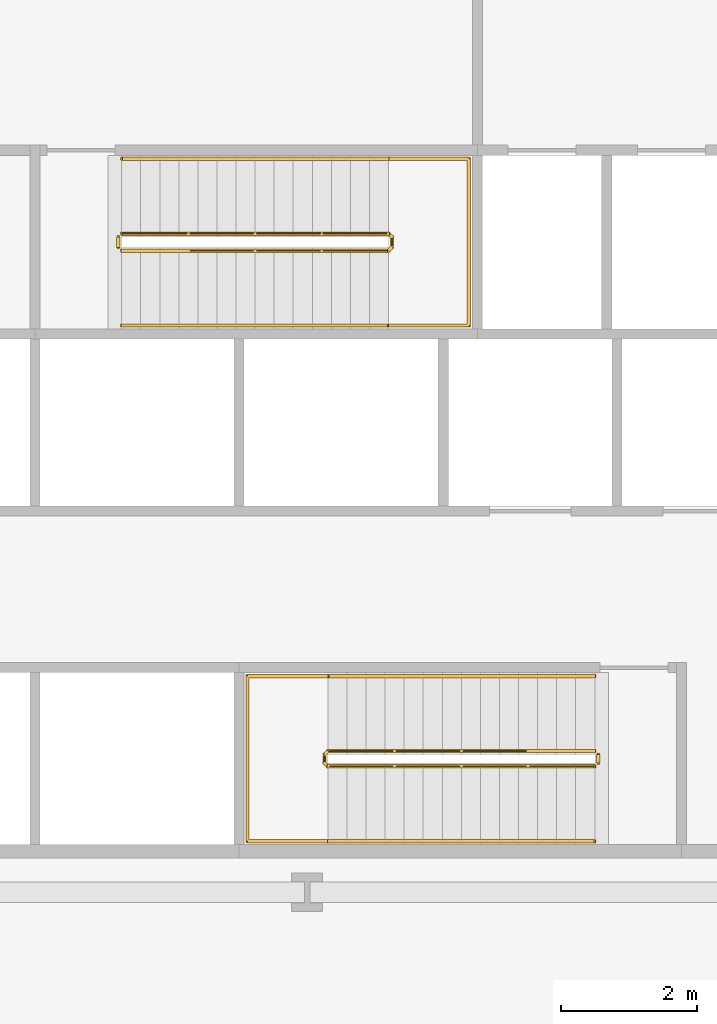
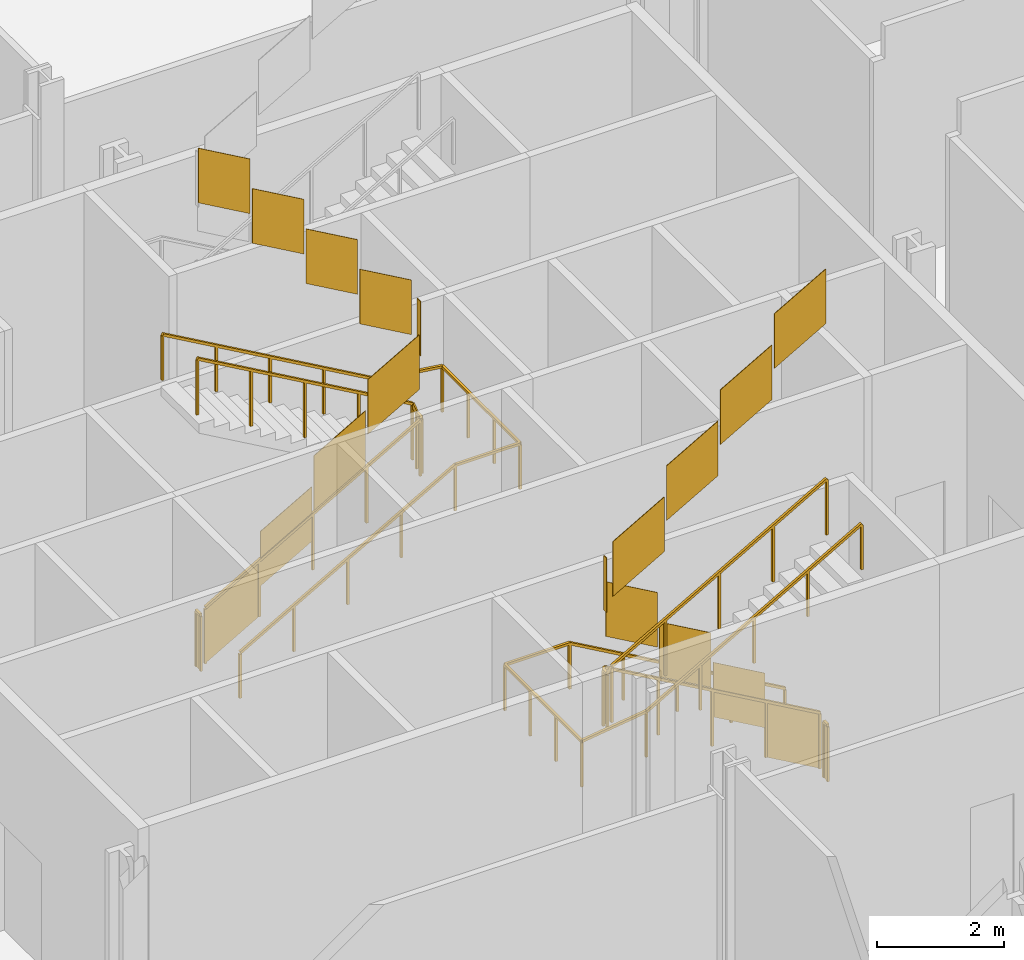
# One storey, part 22 of 26: 6 railings.
"""IFC4 building model written with IfcOpenShell, lengths in metres."""

from ifc_helpers import new_model, si_unit, direction, frame, origin, origin_2d, place, context, subcontext, project, spatial, polyline, rectangle, outline, extrude, material, type_object, element, save


model = new_model("IFC4")

# Units and contexts
model_context = context("Model", 3, precision=1e-05, world=origin(), true_north=direction((0.0, 1.0)))
body_context = subcontext(model_context, "Body", "Model", "MODEL_VIEW")
ifc_project = project(units=[si_unit("LENGTHUNIT", "METRE"), si_unit("AREAUNIT", "SQUARE_METRE"), si_unit("VOLUMEUNIT", "CUBIC_METRE"), si_unit("PLANEANGLEUNIT", "RADIAN"), si_unit("MASSUNIT", "GRAM", prefix="KILO")], contexts=[model_context])

# Site, building, storey
site_placement = place(None, origin())
site = spatial("IfcSite", under=ifc_project, at=site_placement, CompositionType="ELEMENT")
building_placement = place(site_placement, origin())
building = spatial("IfcBuilding", under=site, at=building_placement, Name="Cairn Pilgrim Tower", CompositionType="ELEMENT")
storey_placement = place(building_placement, frame((0.0, 0.0, 25.800048828125)))
storey = spatial("IfcBuildingStorey", under=building, at=storey_placement, Name="L04", CompositionType="ELEMENT", Elevation=25.800048828125)

# Railings
ifc_material = material(Name="Painted steel", Category="steel")
railing_type_1 = type_object("IfcRailingType", Name="STAIR GUARD 1100", PredefinedType="GUARDRAIL", material=ifc_material)
railing_1_placement = place(storey_placement, frame((11.425048828125, -3.925048828125, 0.159912109375)))
element("IfcRailing", 1, at=railing_1_placement, inside=storey, type_object=railing_type_1, Name="L04 ST-A stair guard 1", PredefinedType="GUARDRAIL", context=body_context, shape_type="SweptSolid", body=[
    extrude(rectangle(XDim=0.048095703125, YDim=0.048095703125, at=origin_2d()), frame((0.0, 0.0, 1.076171875), z_axis=(-0.86825312469, 0.0, 0.496121468458), x_axis=(0.0, -1.0, 0.0)), (0.0, 0.0, 1.0), 4.514892578125),
    extrude(rectangle(XDim=0.048095703125, YDim=0.048095703125, at=origin_2d()), frame((-3.920166015625, 0.0, 3.31591796875), z_axis=(-0.705375805398, -0.708833529934, 0.0), x_axis=(0.708833529934, -0.705375805398, 0.0)), (0.0, 0.0, 1.0), 0.070556640625),
    extrude(rectangle(XDim=0.048095703125, YDim=0.048095703125, at=origin_2d()), frame((-3.969970703125, -0.050048828125, 3.31591796875), z_axis=(0.0, -1.0, 0.0), x_axis=(1.0, 0.0, 0.0)), (0.0, 0.0, 1.0), 0.125),
    extrude(rectangle(XDim=0.048095703125, YDim=0.048095703125, at=origin_2d()), frame((-3.969970703125, -0.175048828125, 3.31591796875), z_axis=(0.284663109963, -0.284663109963, 0.915387255566), x_axis=(0.707106781187, 0.707106781187, 0.0)), (0.0, 0.0, 1.0), 0.175048828125),
    extrude(rectangle(XDim=0.048095703125, YDim=0.048095703125, at=origin_2d()), frame((-3.920166015625, -0.224853515625, 3.47607421875), z_axis=(0.86825312469, 0.0, 0.496121468458), x_axis=(0.0, 1.0, 0.0)), (0.0, 0.0, 1.0), 4.514892578125),
    extrude(rectangle(XDim=0.0419921875, YDim=0.0419921875, at=origin_2d()), origin(), (0.0, 0.0, 1.0), 1.052001953125),
    extrude(rectangle(XDim=0.0419921875, YDim=0.0419921875, at=origin_2d()), frame((-0.97998046875, 0.0, 0.56005859375)), (0.0, 0.0, 1.0), 1.052001953125),
    extrude(rectangle(XDim=0.0419921875, YDim=0.0419921875, at=origin_2d()), frame((-1.9599609375, 0.0, 1.1201171875)), (0.0, 0.0, 1.0), 1.052001953125),
    extrude(rectangle(XDim=0.0419921875, YDim=0.0419921875, at=origin_2d()), frame((-2.940185546875, 0.0, 1.679931640625)), (0.0, 0.0, 1.0), 1.052001953125),
    extrude(rectangle(XDim=0.0419921875, YDim=0.0419921875, at=origin_2d()), frame((-3.920166015625, 0.0, 2.239990234375)), (0.0, 0.0, 1.0), 1.052001953125),
    extrude(rectangle(XDim=0.0419921875, YDim=0.0419921875, at=origin_2d()), frame((-3.969970703125, -0.050048828125, 2.239990234375)), (0.0, 0.0, 1.0), 1.052001953125),
    extrude(rectangle(XDim=0.0419921875, YDim=0.0419921875, at=origin_2d()), frame((-3.969970703125, -0.175048828125, 2.239990234375)), (0.0, 0.0, 1.0), 1.052001953125),
    extrude(rectangle(XDim=0.0419921875, YDim=0.0419921875, at=origin_2d()), frame((-3.920166015625, -0.224853515625, 2.400146484375)), (0.0, 0.0, 1.0), 1.052001953125),
    extrude(rectangle(XDim=0.0419921875, YDim=0.0419921875, at=origin_2d()), frame((-2.940185546875, -0.224853515625, 2.960205078125)), (0.0, 0.0, 1.0), 1.052001953125),
    extrude(rectangle(XDim=0.0419921875, YDim=0.0419921875, at=origin_2d()), frame((-1.9599609375, -0.224853515625, 3.52001953125)), (0.0, 0.0, 1.0), 1.052001953125),
    extrude(rectangle(XDim=0.0419921875, YDim=0.0419921875, at=origin_2d()), frame((-0.97998046875, -0.224853515625, 4.080078125)), (0.0, 0.0, 1.0), 1.052001953125),
    extrude(rectangle(XDim=0.0419921875, YDim=0.0419921875, at=origin_2d()), frame((0.0, -0.224853515625, 4.64013671875)), (0.0, 0.0, 1.0), 1.052001953125),
    extrude(outline(polyline([(0.02099609375, 0.011962890625), (0.958984375, 0.548095703125), (0.958984375, 1.60009765625), (0.02099609375, 1.06396484375), (0.02099609375, 0.011962890625)])), frame((0.0, -0.005859375, 0.0), z_axis=(0.0, 1.0, 0.0), x_axis=(-1.0, 0.0, 0.0)), (0.0, 0.0, 1.0), 0.011962890625),
    extrude(outline(polyline([(0.02099609375, 0.572021484375), (0.958984375, 1.10791015625), (0.958984375, 2.159912109375), (0.02099609375, 1.6240234375), (0.02099609375, 0.572021484375)])), frame((-0.97998046875, -0.005859375, 0.56005859375), z_axis=(0.0, 1.0, 0.0), x_axis=(-1.0, 0.0, 0.0)), (0.0, 0.0, 1.0), 0.011962890625),
    extrude(outline(polyline([(0.02099609375, 1.132080078125), (0.958984375, 1.66796875), (0.958984375, 2.719970703125), (0.02099609375, 2.18408203125), (0.02099609375, 1.132080078125)])), frame((-1.9599609375, -0.005859375, 1.1201171875), z_axis=(0.0, 1.0, 0.0), x_axis=(-1.0, 0.0, 0.0)), (0.0, 0.0, 1.0), 0.011962890625),
    extrude(outline(polyline([(0.02099609375, 1.69189453125), (0.958984375, 2.22802734375), (0.958984375, 3.280029296875), (0.02099609375, 2.743896484375), (0.02099609375, 1.69189453125)])), frame((-2.940185546875, -0.005859375, 1.679931640625), z_axis=(0.0, 1.0, 0.0), x_axis=(-1.0, 0.0, 0.0)), (0.0, 0.0, 1.0), 0.011962890625),
    extrude(outline(polyline([(0.02099609375, 2.239990234375), (0.10400390625, 2.239990234375), (0.10400390625, 3.2919921875), (0.02099609375, 3.2919921875), (0.02099609375, 2.239990234375)])), frame((-3.9638671875, -0.050048828125, 2.239990234375), z_axis=(-1.0, 0.0, 0.0), x_axis=(0.0, -1.0, 0.0)), (0.0, 0.0, 1.0), 0.011962890625),
    extrude(outline(polyline([(0.02099609375, 2.412109375), (0.958984375, 2.9482421875), (0.958984375, 4.000244140625), (0.02099609375, 3.464111328125), (0.02099609375, 2.412109375)])), frame((-3.920166015625, -0.21875, 2.400146484375), z_axis=(0.0, -1.0, 0.0), x_axis=(1.0, 0.0, 0.0)), (0.0, 0.0, 1.0), 0.011962890625),
    extrude(outline(polyline([(0.02099609375, 2.97216796875), (0.958984375, 3.508056640625), (0.958984375, 4.56005859375), (0.02099609375, 4.024169921875), (0.02099609375, 2.97216796875)])), frame((-2.940185546875, -0.21875, 2.960205078125), z_axis=(0.0, -1.0, 0.0), x_axis=(1.0, 0.0, 0.0)), (0.0, 0.0, 1.0), 0.011962890625),
    extrude(outline(polyline([(0.02099609375, 3.5322265625), (0.958984375, 4.068115234375), (0.958984375, 5.1201171875), (0.02099609375, 4.584228515625), (0.02099609375, 3.5322265625)])), frame((-1.9599609375, -0.21875, 3.52001953125), z_axis=(0.0, -1.0, 0.0), x_axis=(1.0, 0.0, 0.0)), (0.0, 0.0, 1.0), 0.011962890625),
    extrude(outline(polyline([(0.02099609375, 4.092041015625), (0.958984375, 4.628173828125), (0.958984375, 5.68017578125), (0.02099609375, 5.14404296875), (0.02099609375, 4.092041015625)])), frame((-0.97998046875, -0.21875, 4.080078125), z_axis=(0.0, -1.0, 0.0), x_axis=(1.0, 0.0, 0.0)), (0.0, 0.0, 1.0), 0.011962890625),
])
railing_2_placement = place(storey_placement, frame((11.47509765625, -3.97509765625, 0.0)))
element("IfcRailing", 2, at=railing_2_placement, inside=storey, type_object=railing_type_1, Name="L04 ST-A stair guard 2", PredefinedType="GUARDRAIL", context=body_context, shape_type="SweptSolid", body=[
    extrude(rectangle(XDim=0.048095703125, YDim=0.048095703125, at=origin_2d()), frame((0.0, 0.0, 1.076171875), z_axis=(0.0, -1.0, 0.0), x_axis=(1.0, 0.0, 0.0)), (0.0, 0.0, 1.0), 0.125),
    extrude(rectangle(XDim=0.0419921875, YDim=0.0419921875, at=origin_2d()), origin(), (0.0, 0.0, 1.0), 1.052001953125),
    extrude(rectangle(XDim=0.0419921875, YDim=0.0419921875, at=origin_2d()), frame((0.0, -0.125, 0.0)), (0.0, 0.0, 1.0), 1.052001953125),
    extrude(outline(polyline([(0.02099609375, 0.0), (0.10400390625, 0.0), (0.10400390625, 1.052001953125), (0.02099609375, 1.052001953125), (0.02099609375, 0.0)])), frame((0.005859375, 0.0, 0.0), z_axis=(-1.0, 0.0, 0.0), x_axis=(0.0, -1.0, 0.0)), (0.0, 0.0, 1.0), 0.011962890625),
])
railing_3_placement = place(storey_placement, frame((4.47509765625, 3.425048828125, 0.159912109375)))
element("IfcRailing", 3, at=railing_3_placement, inside=storey, type_object=railing_type_1, Name="L04 ST-B stair guard 1", PredefinedType="GUARDRAIL", context=body_context, shape_type="SweptSolid", body=[
    extrude(rectangle(XDim=0.048095703125, YDim=0.048095703125, at=origin_2d()), frame((0.0, 0.0, 1.076171875), z_axis=(0.868239814368, 0.0, 0.496144761885), x_axis=(0.0, 1.0, 0.0)), (0.0, 0.0, 1.0), 4.514892578125),
    extrude(rectangle(XDim=0.048095703125, YDim=0.048095703125, at=origin_2d()), frame((3.919921875, 0.0, 3.31591796875), z_axis=(0.707106781187, 0.707106781187, 0.0), x_axis=(-0.707106781187, 0.707106781187, 0.0)), (0.0, 0.0, 1.0), 0.07080078125),
    extrude(rectangle(XDim=0.048095703125, YDim=0.048095703125, at=origin_2d()), frame((3.969970703125, 0.050048828125, 3.31591796875), z_axis=(0.0, 1.0, 0.0), x_axis=(-1.0, 0.0, 0.0)), (0.0, 0.0, 1.0), 0.14990234375),
    extrude(rectangle(XDim=0.048095703125, YDim=0.048095703125, at=origin_2d()), frame((3.969970703125, 0.199951171875, 3.31591796875), z_axis=(-0.285830975238, 0.285830975238, 0.91465912076), x_axis=(-0.707106781187, -0.707106781187, 0.0)), (0.0, 0.0, 1.0), 0.175048828125),
    extrude(rectangle(XDim=0.048095703125, YDim=0.048095703125, at=origin_2d()), frame((3.919921875, 0.25, 3.47607421875), z_axis=(-0.868239814368, 0.0, 0.496144761885), x_axis=(0.0, -1.0, 0.0)), (0.0, 0.0, 1.0), 4.514892578125),
    extrude(rectangle(XDim=0.0419921875, YDim=0.0419921875, at=origin_2d()), origin(), (0.0, 0.0, 1.0), 1.052001953125),
    extrude(rectangle(XDim=0.0419921875, YDim=0.0419921875, at=origin_2d()), frame((0.97998046875, 0.0, 0.56005859375)), (0.0, 0.0, 1.0), 1.052001953125),
    extrude(rectangle(XDim=0.0419921875, YDim=0.0419921875, at=origin_2d()), frame((1.9599609375, 0.0, 1.1201171875)), (0.0, 0.0, 1.0), 1.052001953125),
    extrude(rectangle(XDim=0.0419921875, YDim=0.0419921875, at=origin_2d()), frame((2.93994140625, 0.0, 1.679931640625)), (0.0, 0.0, 1.0), 1.052001953125),
    extrude(rectangle(XDim=0.0419921875, YDim=0.0419921875, at=origin_2d()), frame((3.919921875, 0.0, 2.239990234375)), (0.0, 0.0, 1.0), 1.052001953125),
    extrude(rectangle(XDim=0.0419921875, YDim=0.0419921875, at=origin_2d()), frame((3.969970703125, 0.050048828125, 2.239990234375)), (0.0, 0.0, 1.0), 1.052001953125),
    extrude(rectangle(XDim=0.0419921875, YDim=0.0419921875, at=origin_2d()), frame((3.969970703125, 0.199951171875, 2.239990234375)), (0.0, 0.0, 1.0), 1.052001953125),
    extrude(rectangle(XDim=0.0419921875, YDim=0.0419921875, at=origin_2d()), frame((3.919921875, 0.25, 2.400146484375)), (0.0, 0.0, 1.0), 1.052001953125),
    extrude(rectangle(XDim=0.0419921875, YDim=0.0419921875, at=origin_2d()), frame((2.93994140625, 0.25, 2.960205078125)), (0.0, 0.0, 1.0), 1.052001953125),
    extrude(rectangle(XDim=0.0419921875, YDim=0.0419921875, at=origin_2d()), frame((1.9599609375, 0.25, 3.52001953125)), (0.0, 0.0, 1.0), 1.052001953125),
    extrude(rectangle(XDim=0.0419921875, YDim=0.0419921875, at=origin_2d()), frame((0.97998046875, 0.25, 4.080078125)), (0.0, 0.0, 1.0), 1.052001953125),
    extrude(rectangle(XDim=0.0419921875, YDim=0.0419921875, at=origin_2d()), frame((0.0, 0.25, 4.64013671875)), (0.0, 0.0, 1.0), 1.052001953125),
    extrude(outline(polyline([(0.02099609375, 0.011962890625), (0.958984375, 0.548095703125), (0.958984375, 1.60009765625), (0.02099609375, 1.06396484375), (0.02099609375, 0.011962890625)])), frame((0.0, 0.005859375, 0.0), z_axis=(0.0, -1.0, 0.0), x_axis=(1.0, 0.0, 0.0)), (0.0, 0.0, 1.0), 0.011962890625),
    extrude(outline(polyline([(0.02099609375, 0.572021484375), (0.958984375, 1.10791015625), (0.958984375, 2.159912109375), (0.02099609375, 1.6240234375), (0.02099609375, 0.572021484375)])), frame((0.97998046875, 0.005859375, 0.56005859375), z_axis=(0.0, -1.0, 0.0), x_axis=(1.0, 0.0, 0.0)), (0.0, 0.0, 1.0), 0.011962890625),
    extrude(outline(polyline([(0.02099609375, 1.132080078125), (0.958984375, 1.66796875), (0.958984375, 2.719970703125), (0.02099609375, 2.18408203125), (0.02099609375, 1.132080078125)])), frame((1.9599609375, 0.005859375, 1.1201171875), z_axis=(0.0, -1.0, 0.0), x_axis=(1.0, 0.0, 0.0)), (0.0, 0.0, 1.0), 0.011962890625),
    extrude(outline(polyline([(0.02099609375, 1.69189453125), (0.958984375, 2.22802734375), (0.958984375, 3.280029296875), (0.02099609375, 2.743896484375), (0.02099609375, 1.69189453125)])), frame((2.93994140625, 0.005859375, 1.679931640625), z_axis=(0.0, -1.0, 0.0), x_axis=(1.0, 0.0, 0.0)), (0.0, 0.0, 1.0), 0.011962890625),
    extrude(outline(polyline([(0.02099609375, 2.239990234375), (0.12890625, 2.239990234375), (0.12890625, 3.2919921875), (0.02099609375, 3.2919921875), (0.02099609375, 2.239990234375)])), frame((3.9638671875, 0.050048828125, 2.239990234375), z_axis=(1.0, 0.0, 0.0), x_axis=(0.0, 1.0, 0.0)), (0.0, 0.0, 1.0), 0.011962890625),
    extrude(outline(polyline([(0.02099609375, 2.412109375), (0.958984375, 2.9482421875), (0.958984375, 4.000244140625), (0.02099609375, 3.464111328125), (0.02099609375, 2.412109375)])), frame((3.919921875, 0.244140625, 2.400146484375), z_axis=(0.0, 1.0, 0.0), x_axis=(-1.0, 0.0, 0.0)), (0.0, 0.0, 1.0), 0.011962890625),
    extrude(outline(polyline([(0.02099609375, 2.97216796875), (0.958984375, 3.508056640625), (0.958984375, 4.56005859375), (0.02099609375, 4.024169921875), (0.02099609375, 2.97216796875)])), frame((2.93994140625, 0.244140625, 2.960205078125), z_axis=(0.0, 1.0, 0.0), x_axis=(-1.0, 0.0, 0.0)), (0.0, 0.0, 1.0), 0.011962890625),
    extrude(outline(polyline([(0.02099609375, 3.5322265625), (0.958984375, 4.068115234375), (0.958984375, 5.1201171875), (0.02099609375, 4.584228515625), (0.02099609375, 3.5322265625)])), frame((1.9599609375, 0.244140625, 3.52001953125), z_axis=(0.0, 1.0, 0.0), x_axis=(-1.0, 0.0, 0.0)), (0.0, 0.0, 1.0), 0.011962890625),
    extrude(outline(polyline([(0.02099609375, 4.092041015625), (0.958984375, 4.628173828125), (0.958984375, 5.68017578125), (0.02099609375, 5.14404296875), (0.02099609375, 4.092041015625)])), frame((0.97998046875, 0.244140625, 4.080078125), z_axis=(0.0, 1.0, 0.0), x_axis=(-1.0, 0.0, 0.0)), (0.0, 0.0, 1.0), 0.011962890625),
])
railing_4_placement = place(storey_placement, frame((4.425048828125, 3.47509765625, 0.0)))
element("IfcRailing", 4, at=railing_4_placement, inside=storey, type_object=railing_type_1, Name="L04 ST-B stair guard 2", PredefinedType="GUARDRAIL", context=body_context, shape_type="SweptSolid", body=[
    extrude(rectangle(XDim=0.048095703125, YDim=0.048095703125, at=origin_2d()), frame((0.0, 0.0, 1.076171875), z_axis=(0.0, 1.0, 0.0), x_axis=(-1.0, 0.0, 0.0)), (0.0, 0.0, 1.0), 0.14990234375),
    extrude(rectangle(XDim=0.0419921875, YDim=0.0419921875, at=origin_2d()), origin(), (0.0, 0.0, 1.0), 1.052001953125),
    extrude(rectangle(XDim=0.0419921875, YDim=0.0419921875, at=origin_2d()), frame((0.0, 0.14990234375, 0.0)), (0.0, 0.0, 1.0), 1.052001953125),
    extrude(outline(polyline([(0.02099609375, 0.0), (0.12890625, 0.0), (0.12890625, 1.052001953125), (0.02099609375, 1.052001953125), (0.02099609375, 0.0)])), frame((-0.005859375, 0.0, 0.0), z_axis=(1.0, 0.0, 0.0), x_axis=(0.0, 1.0, 0.0)), (0.0, 0.0, 1.0), 0.011962890625),
])
railing_type_2 = type_object("IfcRailingType", Name="STAIR HANDRAIL 900", PredefinedType="HANDRAIL", material=ifc_material)
railing_5_placement = place(storey_placement, frame((11.425048828125, -2.824951171875, 0.159912109375)))
element("IfcRailing", 5, at=railing_5_placement, inside=storey, type_object=railing_type_2, Name="L04 ST-A stair handrail 1", PredefinedType="HANDRAIL", context=body_context, shape_type="SweptSolid", body=[
    extrude(rectangle(XDim=0.048095703125, YDim=0.048095703125, at=origin_2d()), frame((0.0, 0.0, 0.8759765625), z_axis=(-0.86825312469, 0.0, 0.496121468458), x_axis=(0.0, -1.0, 0.0)), (0.0, 0.0, 1.0), 4.514892578125),
    extrude(rectangle(XDim=0.048095703125, YDim=0.048095703125, at=origin_2d()), frame((-3.920166015625, 0.0, 3.11572265625), z_axis=(-1.0, 0.0, 0.0), x_axis=(0.0, -1.0, 0.0)), (0.0, 0.0, 1.0), 1.179931640625),
    extrude(rectangle(XDim=0.048095703125, YDim=0.048095703125, at=origin_2d()), frame((-5.10009765625, 0.0, 3.11572265625), z_axis=(0.0, -1.0, 0.0), x_axis=(1.0, 0.0, 0.0)), (0.0, 0.0, 1.0), 2.425048828125),
    extrude(rectangle(XDim=0.048095703125, YDim=0.048095703125, at=origin_2d()), frame((-5.10009765625, -2.425048828125, 3.11572265625), z_axis=(0.990913571068, 0.0, 0.134500166071), x_axis=(0.0, 1.0, 0.0)), (0.0, 0.0, 1.0), 1.190673828125),
    extrude(rectangle(XDim=0.048095703125, YDim=0.048095703125, at=origin_2d()), frame((-3.920166015625, -2.425048828125, 3.27587890625), z_axis=(0.86825312469, 0.0, 0.496121468458), x_axis=(0.0, 1.0, 0.0)), (0.0, 0.0, 1.0), 4.514892578125),
    extrude(rectangle(XDim=0.0419921875, YDim=0.0419921875, at=origin_2d()), origin(), (0.0, 0.0, 1.0), 0.851806640625),
    extrude(rectangle(XDim=0.0419921875, YDim=0.0419921875, at=origin_2d()), frame((-0.97998046875, 0.0, 0.56005859375)), (0.0, 0.0, 1.0), 0.851806640625),
    extrude(rectangle(XDim=0.0419921875, YDim=0.0419921875, at=origin_2d()), frame((-1.9599609375, 0.0, 1.1201171875)), (0.0, 0.0, 1.0), 0.851806640625),
    extrude(rectangle(XDim=0.0419921875, YDim=0.0419921875, at=origin_2d()), frame((-2.940185546875, 0.0, 1.679931640625)), (0.0, 0.0, 1.0), 0.851806640625),
    extrude(rectangle(XDim=0.0419921875, YDim=0.0419921875, at=origin_2d()), frame((-3.920166015625, 0.0, 2.239990234375)), (0.0, 0.0, 1.0), 0.851806640625),
    extrude(rectangle(XDim=0.0419921875, YDim=0.0419921875, at=origin_2d()), frame((-5.10009765625, 0.0, 2.239990234375)), (0.0, 0.0, 1.0), 0.851806640625),
    extrude(rectangle(XDim=0.0419921875, YDim=0.0419921875, at=origin_2d()), frame((-5.10009765625, -0.808349609375, 2.239990234375)), (0.0, 0.0, 1.0), 0.851806640625),
    extrude(rectangle(XDim=0.0419921875, YDim=0.0419921875, at=origin_2d()), frame((-5.10009765625, -1.61669921875, 2.239990234375)), (0.0, 0.0, 1.0), 0.851806640625),
    extrude(rectangle(XDim=0.0419921875, YDim=0.0419921875, at=origin_2d()), frame((-5.10009765625, -2.425048828125, 2.239990234375)), (0.0, 0.0, 1.0), 0.851806640625),
    extrude(rectangle(XDim=0.0419921875, YDim=0.0419921875, at=origin_2d()), frame((-3.920166015625, -2.425048828125, 2.400146484375)), (0.0, 0.0, 1.0), 0.851806640625),
    extrude(rectangle(XDim=0.0419921875, YDim=0.0419921875, at=origin_2d()), frame((-2.940185546875, -2.425048828125, 2.960205078125)), (0.0, 0.0, 1.0), 0.851806640625),
    extrude(rectangle(XDim=0.0419921875, YDim=0.0419921875, at=origin_2d()), frame((-1.9599609375, -2.425048828125, 3.52001953125)), (0.0, 0.0, 1.0), 0.851806640625),
    extrude(rectangle(XDim=0.0419921875, YDim=0.0419921875, at=origin_2d()), frame((-0.97998046875, -2.425048828125, 4.080078125)), (0.0, 0.0, 1.0), 0.851806640625),
    extrude(rectangle(XDim=0.0419921875, YDim=0.0419921875, at=origin_2d()), frame((0.0, -2.425048828125, 4.64013671875)), (0.0, 0.0, 1.0), 0.851806640625),
])
railing_6_placement = place(storey_placement, frame((4.47509765625, 2.324951171875, 0.159912109375)))
element("IfcRailing", 6, at=railing_6_placement, inside=storey, type_object=railing_type_2, Name="L04 ST-B stair handrail 1", PredefinedType="HANDRAIL", context=body_context, shape_type="SweptSolid", body=[
    extrude(rectangle(XDim=0.048095703125, YDim=0.048095703125, at=origin_2d()), frame((0.0, 0.0, 0.8759765625), z_axis=(0.868239814368, 0.0, 0.496144761885), x_axis=(0.0, 1.0, 0.0)), (0.0, 0.0, 1.0), 4.514892578125),
    extrude(rectangle(XDim=0.048095703125, YDim=0.048095703125, at=origin_2d()), frame((3.919921875, 0.0, 3.11572265625), z_axis=(1.0, 0.0, 0.0), x_axis=(0.0, 1.0, 0.0)), (0.0, 0.0, 1.0), 1.179931640625),
    extrude(rectangle(XDim=0.048095703125, YDim=0.048095703125, at=origin_2d()), frame((5.099853515625, 0.0, 3.11572265625), z_axis=(0.0, 1.0, 0.0), x_axis=(-1.0, 0.0, 0.0)), (0.0, 0.0, 1.0), 2.449951171875),
    extrude(rectangle(XDim=0.048095703125, YDim=0.048095703125, at=origin_2d()), frame((5.099853515625, 2.449951171875, 3.11572265625), z_axis=(-0.990913571068, 0.0, 0.134500166071), x_axis=(0.0, -1.0, 0.0)), (0.0, 0.0, 1.0), 1.190673828125),
    extrude(rectangle(XDim=0.048095703125, YDim=0.048095703125, at=origin_2d()), frame((3.919921875, 2.449951171875, 3.27587890625), z_axis=(-0.868239814368, 0.0, 0.496144761885), x_axis=(0.0, -1.0, 0.0)), (0.0, 0.0, 1.0), 4.514892578125),
    extrude(rectangle(XDim=0.0419921875, YDim=0.0419921875, at=origin_2d()), origin(), (0.0, 0.0, 1.0), 0.851806640625),
    extrude(rectangle(XDim=0.0419921875, YDim=0.0419921875, at=origin_2d()), frame((0.97998046875, 0.0, 0.56005859375)), (0.0, 0.0, 1.0), 0.851806640625),
    extrude(rectangle(XDim=0.0419921875, YDim=0.0419921875, at=origin_2d()), frame((1.9599609375, 0.0, 1.1201171875)), (0.0, 0.0, 1.0), 0.851806640625),
    extrude(rectangle(XDim=0.0419921875, YDim=0.0419921875, at=origin_2d()), frame((2.93994140625, 0.0, 1.679931640625)), (0.0, 0.0, 1.0), 0.851806640625),
    extrude(rectangle(XDim=0.0419921875, YDim=0.0419921875, at=origin_2d()), frame((3.919921875, 0.0, 2.239990234375)), (0.0, 0.0, 1.0), 0.851806640625),
    extrude(rectangle(XDim=0.0419921875, YDim=0.0419921875, at=origin_2d()), frame((5.099853515625, 0.0, 2.239990234375)), (0.0, 0.0, 1.0), 0.851806640625),
    extrude(rectangle(XDim=0.0419921875, YDim=0.0419921875, at=origin_2d()), frame((5.099853515625, 0.816650390625, 2.239990234375)), (0.0, 0.0, 1.0), 0.851806640625),
    extrude(rectangle(XDim=0.0419921875, YDim=0.0419921875, at=origin_2d()), frame((5.099853515625, 1.63330078125, 2.239990234375)), (0.0, 0.0, 1.0), 0.851806640625),
    extrude(rectangle(XDim=0.0419921875, YDim=0.0419921875, at=origin_2d()), frame((5.099853515625, 2.449951171875, 2.239990234375)), (0.0, 0.0, 1.0), 0.851806640625),
    extrude(rectangle(XDim=0.0419921875, YDim=0.0419921875, at=origin_2d()), frame((3.919921875, 2.449951171875, 2.400146484375)), (0.0, 0.0, 1.0), 0.851806640625),
    extrude(rectangle(XDim=0.0419921875, YDim=0.0419921875, at=origin_2d()), frame((2.93994140625, 2.449951171875, 2.960205078125)), (0.0, 0.0, 1.0), 0.851806640625),
    extrude(rectangle(XDim=0.0419921875, YDim=0.0419921875, at=origin_2d()), frame((1.9599609375, 2.449951171875, 3.52001953125)), (0.0, 0.0, 1.0), 0.851806640625),
    extrude(rectangle(XDim=0.0419921875, YDim=0.0419921875, at=origin_2d()), frame((0.97998046875, 2.449951171875, 4.080078125)), (0.0, 0.0, 1.0), 0.851806640625),
    extrude(rectangle(XDim=0.0419921875, YDim=0.0419921875, at=origin_2d()), frame((0.0, 2.449951171875, 4.64013671875)), (0.0, 0.0, 1.0), 0.851806640625),
])

save(model, "model.ifc")
